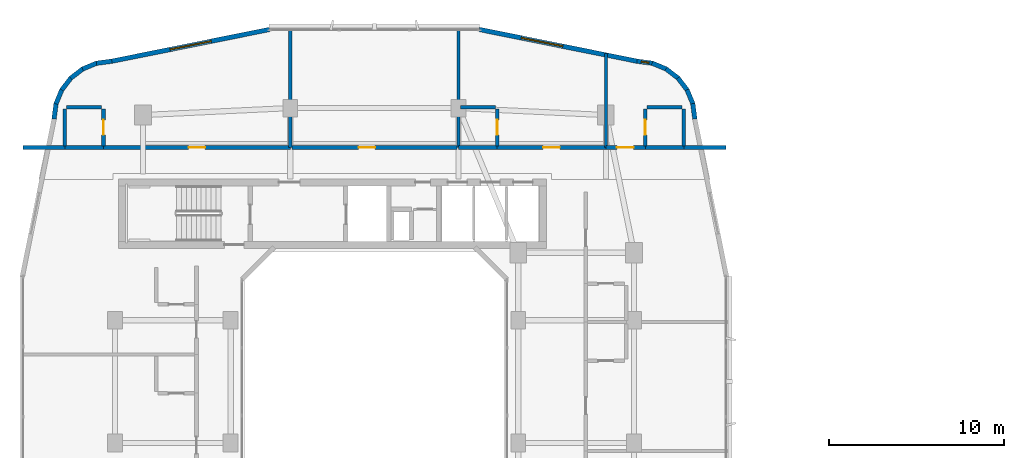
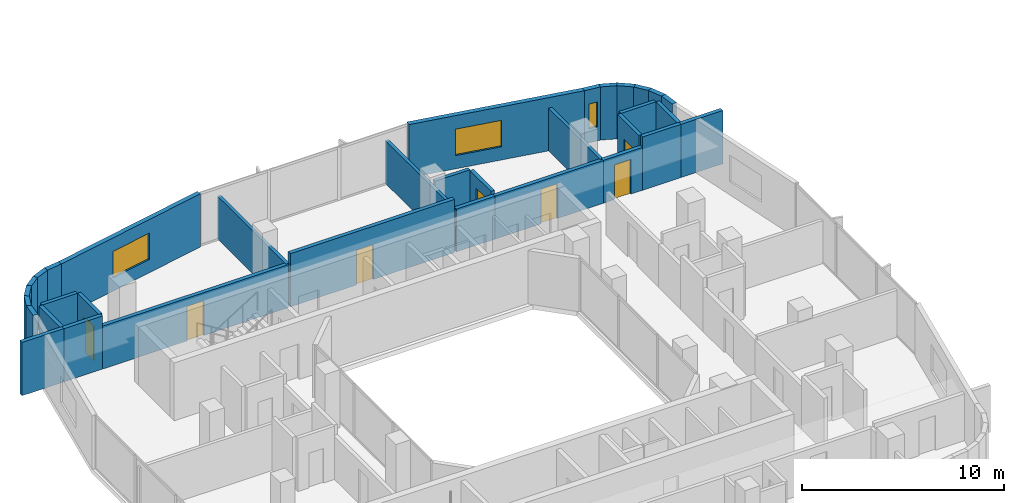
# One storey, part 16 of 26: 34 walls, 7 doors, 3 windows, 10 openings.
"""IFC4 building model written with IfcOpenShell, lengths in metres."""

from ifc_helpers import new_model, si_unit, derived_unit, direction, frame, frame_2d, origin, place, context, subcontext, project, spatial, rectangle, extrude, material, layer, layer_set, type_object, element, fill, save


model = new_model("IFC4")

# Units and contexts
model_context = context("Model", 3, precision=1e-05, world=origin(), true_north=direction((0.0, 1.0)))
body_context = subcontext(model_context, "Body", "Model", "MODEL_VIEW")
ifc_project = project(units=[si_unit("LENGTHUNIT", "METRE"), si_unit("AREAUNIT", "SQUARE_METRE"), si_unit("VOLUMEUNIT", "CUBIC_METRE"), si_unit("PLANEANGLEUNIT", "RADIAN"), si_unit("MASSUNIT", "GRAM", prefix="KILO"), derived_unit("THERMALTRANSMITTANCEUNIT", [(si_unit("POWERUNIT", "WATT"), 1), (si_unit("LENGTHUNIT", "METRE"), -2), (si_unit("THERMODYNAMICTEMPERATUREUNIT", "KELVIN"), -1)])], contexts=[model_context])

# Site, building, storey
site_placement = place(None, origin())
site = spatial("IfcSite", under=ifc_project, at=site_placement, CompositionType="ELEMENT")
building_placement = place(site_placement, origin())
building = spatial("IfcBuilding", under=site, at=building_placement, Name="Kivonza Crest Hotel", CompositionType="ELEMENT")
storey_placement = place(building_placement, frame((0.0, 0.0, 105.5)))
storey = spatial("IfcBuildingStorey", under=building, at=storey_placement, Name="L28", CompositionType="ELEMENT", Elevation=105.5)

# Walls
ifc_material_1 = material(Name="High-density acoustic masonry inter-tenancy wall", Category="masonry")
ifc_layer_1 = layer(ifc_material_1, 0.179931640625)
ifc_layer_set_1 = layer_set([ifc_layer_1], Name="High-density acoustic masonry inter-tenancy wall")
wall_type_1 = type_object("IfcWallType", Name="WL-ACOU-180", PredefinedType="SOLIDWALL", material=ifc_layer_set_1)
for number, where, z_axis, x_axis, name in (
    (1, (16.199951171875, 38.35009765625, 0.0), (0.0, 0.0, 1.0), (0.0, 1.0, 0.0), "L28 interior partition WA-L28-T1N-DIV1"),
    (2, (25.800048828125, 38.35009765625, 0.0), (0.0, 0.0, 1.0), (0.0, 1.0, 0.0), "L28 interior partition WA-L28-T1N-DIV2"),
):
    element("IfcWall", number, at=place(storey_placement, frame(where, z_axis=z_axis, x_axis=x_axis)), inside=storey, type_object=wall_type_1, Name=name, PredefinedType="SOLIDWALL", context=body_context, shape_type="SweptSolid", body=[
        extrude(rectangle(XDim=6.789794921875, YDim=0.179931640625, at=frame_2d((3.39501953125, 0.0))), origin(), (0.0, 0.0, 1.0), 2.594970703125),
    ])
wall_1_placement = place(storey_placement, frame((34.199951171875, 38.35009765625, 0.0), z_axis=(0.0, 0.0, 1.0), x_axis=(0.0, 1.0, 0.0)))
element("IfcWall", 3, at=wall_1_placement, inside=storey, type_object=wall_type_1, Name="L28 interior partition WA-L28-T1N-DIV3", PredefinedType="SOLIDWALL", context=body_context, shape_type="SweptSolid", body=[
    extrude(rectangle(XDim=5.350830078125, YDim=0.179931640625, at=frame_2d((2.67529296875, 0.0))), origin(), (0.0, 0.0, 1.0), 2.594970703125),
])
ifc_material_2 = material(Name="Autoclaved aerated concrete blockwork", Category="masonry")
ifc_layer_2 = layer(ifc_material_2, 0.219970703125)
ifc_layer_set_2 = layer_set([ifc_layer_2], Name="Autoclaved aerated concrete blockwork")
wall_type_2 = type_object("IfcWallType", Name="WL-ACOU-220", PredefinedType="SOLIDWALL", material=ifc_layer_set_2)
wall_2_placement = place(storey_placement, frame((0.9599609375, 38.35009765625, 0.0), z_axis=(0.0, 0.0, 1.0), x_axis=(1.0, 0.0, 0.0)))
element("IfcWall", 4, at=wall_2_placement, inside=storey, type_object=wall_type_2, Name="L28 interior partition WA-L28-N01-XCORR", PredefinedType="SOLIDWALL", context=body_context, shape_type="SweptSolid", body=[
    extrude(rectangle(XDim=2.39013671875, YDim=0.219970703125, at=frame_2d((1.195068359375, 0.0))), origin(), (0.0, 0.0, 1.0), 3.219970703125),
])
wall_3_placement = place(storey_placement, frame((3.35009765625, 38.35009765625, 0.0), z_axis=(0.0, 0.0, 1.0), x_axis=(1.0, 0.0, 0.0)))
element("IfcWall", 5, at=wall_3_placement, inside=storey, type_object=wall_type_2, Name="L28 interior partition WA-L28-N01-BCORR", PredefinedType="SOLIDWALL", context=body_context, shape_type="SweptSolid", body=[
    extrude(rectangle(XDim=2.199951171875, YDim=0.219970703125, at=frame_2d((1.10009765625, 0.0))), origin(), (0.0, 0.0, 1.0), 3.219970703125),
])

# Wall, opening, door
wall_4_placement = place(storey_placement, frame((5.550048828125, 38.35009765625, 0.0), z_axis=(0.0, 0.0, 1.0), x_axis=(1.0, 0.0, 0.0)))
wall_4 = element("IfcWall", 6, at=wall_4_placement, inside=storey, type_object=wall_type_2, Name="L28 interior partition WA-L28-N01-MCORR", PredefinedType="SOLIDWALL", context=body_context, shape_type="SweptSolid", body=[
    extrude(rectangle(XDim=10.64990234375, YDim=0.219970703125, at=frame_2d((5.324951171875, 0.0))), origin(), (0.0, 0.0, 1.0), 2.594970703125),
])
opening_1_placement = place(wall_4_placement, frame((4.85009765625, 0.0, 0.0)))
opening_1 = element("IfcOpeningElement", 7, at=opening_1_placement, cuts=wall_4, Name="Opening DU-60", PredefinedType="OPENING", context=body_context, shape_type="SweptSolid", body=[
    extrude(rectangle(XDim=0.949951171875, YDim=2.10009765625, at=frame_2d((0.47509765625, 1.050048828125))), frame((0.0, 0.1201171875, 0.0), z_axis=(0.0, -1.0, 0.0), x_axis=(1.0, 0.0, 0.0)), (0.0, 0.0, 1.0), 0.239990234375),
])
ifc_material_3 = material(Name="Hardwood timber oak", Category="wood")
door_type_1 = type_object("IfcDoorType", Name="DR-UNIT-950", OperationType="NOTDEFINED", PredefinedType="DOOR", material=ifc_material_3)
door_1_placement = place(opening_1_placement, origin())
door_1 = element("IfcDoor", 8, at=door_1_placement, inside=storey, type_object=door_type_1, Name="L28 N01 guest unit entrance fire door", OperationType="SINGLE_SWING_LEFT", OverallHeight=2.10009765625, OverallWidth=0.949951171875, PredefinedType="DOOR", context=body_context, shape_type="SweptSolid", body=[
    extrude(rectangle(XDim=0.949951171875, YDim=2.10009765625, at=frame_2d((0.47509765625, 1.050048828125))), frame((0.0, 0.02490234375, 0.0), z_axis=(0.0, -1.0, 0.0), x_axis=(1.0, 0.0, 0.0)), (0.0, 0.0, 1.0), 0.050048828125),
])
fill(opening_1, door_1)

wall_5_placement = place(storey_placement, frame((16.300048828125, 38.35009765625, 0.0), z_axis=(0.0, 0.0, 1.0), x_axis=(1.0, 0.0, 0.0)))
wall_5 = element("IfcWall", 9, at=wall_5_placement, inside=storey, type_object=wall_type_2, Name="L28 interior partition WA-L28-HK-MAIN-S", PredefinedType="SOLIDWALL", context=body_context, shape_type="SweptSolid", body=[
    extrude(rectangle(XDim=9.39990234375, YDim=0.219970703125, at=frame_2d((4.699951171875, 0.0))), origin(), (0.0, 0.0, 1.0), 3.219970703125),
])
opening_2_placement = place(wall_5_placement, frame((3.79296875, 0.0, 0.0)))
opening_2 = element("IfcOpeningElement", 10, at=opening_2_placement, cuts=wall_5, Name="Opening DF-60S", PredefinedType="OPENING", context=body_context, shape_type="SweptSolid", body=[
    extrude(rectangle(XDim=0.949951171875, YDim=2.10009765625, at=frame_2d((0.47509765625, 1.050048828125))), frame((0.0, 0.1201171875, 0.0), z_axis=(0.0, -1.0, 0.0), x_axis=(1.0, 0.0, 0.0)), (0.0, 0.0, 1.0), 0.239990234375),
])
door_type_2 = type_object("IfcDoorType", Name="DR-FD60-950", OperationType="NOTDEFINED", PredefinedType="DOOR", material=ifc_material_3)
door_2_placement = place(opening_2_placement, origin())
door_2 = element("IfcDoor", 11, at=door_2_placement, inside=storey, type_object=door_type_2, Name="L28 Housekeeping and Linen Room door", OperationType="SINGLE_SWING_RIGHT", OverallHeight=2.10009765625, OverallWidth=0.949951171875, PredefinedType="DOOR", context=body_context, shape_type="SweptSolid", body=[
    extrude(rectangle(XDim=0.949951171875, YDim=2.10009765625, at=frame_2d((0.47509765625, 1.050048828125))), frame((0.0, 0.02490234375, 0.0), z_axis=(0.0, -1.0, 0.0), x_axis=(1.0, 0.0, 0.0)), (0.0, 0.0, 1.0), 0.050048828125),
])
fill(opening_2, door_2)

# Wall
wall_6_placement = place(storey_placement, frame((25.800048828125, 38.35009765625, 0.0), z_axis=(0.0, 0.0, 1.0), x_axis=(1.0, 0.0, 0.0)))
element("IfcWall", 12, at=wall_6_placement, inside=storey, type_object=wall_type_2, Name="L28 interior partition WA-L28-N02-BCORR", PredefinedType="SOLIDWALL", context=body_context, shape_type="SweptSolid", body=[
    extrude(rectangle(XDim=2.199951171875, YDim=0.219970703125, at=frame_2d((1.10009765625, 0.0))), origin(), (0.0, 0.0, 1.0), 2.594970703125),
])

# Wall, opening, door
wall_7_placement = place(storey_placement, frame((28.0, 38.35009765625, 0.0), z_axis=(0.0, 0.0, 1.0), x_axis=(1.0, 0.0, 0.0)))
wall_7 = element("IfcWall", 13, at=wall_7_placement, inside=storey, type_object=wall_type_2, Name="L28 interior partition WA-L28-N02-MCORR", PredefinedType="SOLIDWALL", context=body_context, shape_type="SweptSolid", body=[
    extrude(rectangle(XDim=6.199951171875, YDim=0.219970703125, at=frame_2d((3.10009765625, 0.0))), origin(), (0.0, 0.0, 1.0), 2.594970703125),
])
opening_3_placement = place(wall_7_placement, frame((2.625, 0.0, 0.0)))
opening_3 = element("IfcOpeningElement", 14, at=opening_3_placement, cuts=wall_7, Name="Opening DU-60", PredefinedType="OPENING", context=body_context, shape_type="SweptSolid", body=[
    extrude(rectangle(XDim=0.949951171875, YDim=2.10009765625, at=frame_2d((0.47509765625, 1.050048828125))), frame((0.0, 0.1201171875, 0.0), z_axis=(0.0, -1.0, 0.0), x_axis=(1.0, 0.0, 0.0)), (0.0, 0.0, 1.0), 0.239990234375),
])
door_3_placement = place(opening_3_placement, origin())
door_3 = element("IfcDoor", 15, at=door_3_placement, inside=storey, type_object=door_type_1, Name="L28 N02 guest unit entrance fire door", OperationType="SINGLE_SWING_RIGHT", OverallHeight=2.10009765625, OverallWidth=0.949951171875, PredefinedType="DOOR", context=body_context, shape_type="SweptSolid", body=[
    extrude(rectangle(XDim=0.949951171875, YDim=2.10009765625, at=frame_2d((0.47509765625, 1.050048828125))), frame((0.0, 0.02490234375, 0.0), z_axis=(0.0, -1.0, 0.0), x_axis=(1.0, 0.0, 0.0)), (0.0, 0.0, 1.0), 0.050048828125),
])
fill(opening_3, door_3)

# Walls
wall_8_placement = place(storey_placement, frame((38.64990234375, 38.35009765625, 0.0), z_axis=(0.0, 0.0, 1.0), x_axis=(1.0, 0.0, 0.0)))
element("IfcWall", 16, at=wall_8_placement, inside=storey, type_object=wall_type_2, Name="L28 interior partition WA-L28-N03-XCORR", PredefinedType="SOLIDWALL", context=body_context, shape_type="SweptSolid", body=[
    extrude(rectangle(XDim=2.39013671875, YDim=0.219970703125, at=frame_2d((1.195068359375, 0.0))), origin(), (0.0, 0.0, 1.0), 3.219970703125),
])
wall_9_placement = place(storey_placement, frame((36.449951171875, 38.35009765625, 0.0), z_axis=(0.0, 0.0, 1.0), x_axis=(1.0, 0.0, 0.0)))
element("IfcWall", 17, at=wall_9_placement, inside=storey, type_object=wall_type_2, Name="L28 interior partition WA-L28-N03-BCORR", PredefinedType="SOLIDWALL", context=body_context, shape_type="SweptSolid", body=[
    extrude(rectangle(XDim=2.199951171875, YDim=0.219970703125, at=frame_2d((1.10009765625, 0.0))), origin(), (0.0, 0.0, 1.0), 3.219970703125),
])

# Wall, opening, door
wall_10_placement = place(storey_placement, frame((34.199951171875, 38.35009765625, 0.0), z_axis=(0.0, 0.0, 1.0), x_axis=(1.0, 0.0, 0.0)))
wall_10 = element("IfcWall", 18, at=wall_10_placement, inside=storey, type_object=wall_type_2, Name="L28 interior partition WA-L28-N03-MCORR", PredefinedType="SOLIDWALL", context=body_context, shape_type="SweptSolid", body=[
    extrude(rectangle(XDim=2.25, YDim=0.219970703125, at=frame_2d((1.125, 0.0))), origin(), (0.0, 0.0, 1.0), 2.594970703125),
])
opening_4_placement = place(wall_10_placement, frame((0.6298828125, 0.0, 0.0)))
opening_4 = element("IfcOpeningElement", 19, at=opening_4_placement, cuts=wall_10, Name="Opening DU-60", PredefinedType="OPENING", context=body_context, shape_type="SweptSolid", body=[
    extrude(rectangle(XDim=0.949951171875, YDim=2.10009765625, at=frame_2d((0.47509765625, 1.050048828125))), frame((0.0, 0.1201171875, 0.0), z_axis=(0.0, -1.0, 0.0), x_axis=(1.0, 0.0, 0.0)), (0.0, 0.0, 1.0), 0.239990234375),
])
door_4_placement = place(opening_4_placement, origin())
door_4 = element("IfcDoor", 20, at=door_4_placement, inside=storey, type_object=door_type_1, Name="L28 N03 guest unit entrance fire door", OperationType="SINGLE_SWING_LEFT", OverallHeight=2.10009765625, OverallWidth=0.949951171875, PredefinedType="DOOR", context=body_context, shape_type="SweptSolid", body=[
    extrude(rectangle(XDim=0.949951171875, YDim=2.10009765625, at=frame_2d((0.47509765625, 1.050048828125))), frame((0.0, 0.02490234375, 0.0), z_axis=(0.0, -1.0, 0.0), x_axis=(1.0, 0.0, 0.0)), (0.0, 0.0, 1.0), 0.050048828125),
])
fill(opening_4, door_4)

# Walls
ifc_material_4 = material(Name="Precast concrete C40/50", Category="concrete")
ifc_layer_3 = layer(ifc_material_4, 0.260009765625)
ifc_layer_set_3 = layer_set([ifc_layer_3], Name="Precast concrete C40/50")
wall_type_3 = type_object("IfcWallType", Name="WL-EXT-260", PredefinedType="STANDARD", material=ifc_layer_set_3)
wall_11_placement = place(storey_placement, frame((39.27197265625, 39.97509765625, 0.0), z_axis=(0.0, 0.0, 1.0), x_axis=(-0.130953706898, 0.991388484223, 0.0)))
element("IfcWall", 21, at=wall_11_placement, inside=storey, type_object=wall_type_3, Name="L28 T1 exterior insulated wall 19", PredefinedType="STANDARD", context=body_context, shape_type="SweptSolid", body=[
    extrude(rectangle(XDim=0.885498046875, YDim=0.260009765625, at=frame_2d((0.44287109375, 0.0))), origin(), (0.0, 0.0, 1.0), 3.219970703125),
])
wall_12_placement = place(storey_placement, frame((39.174072265625, 40.806884765625, 0.0), z_axis=(0.0, 0.0, 1.0), x_axis=(-0.383290660547, 0.923627776508, 0.0)))
element("IfcWall", 22, at=wall_12_placement, inside=storey, type_object=wall_type_3, Name="L28 T1 exterior insulated wall 20", PredefinedType="STANDARD", context=body_context, shape_type="SweptSolid", body=[
    extrude(rectangle(XDim=0.9033203125, YDim=0.260009765625, at=frame_2d((0.45166015625, 0.0))), origin(), (0.0, 0.0, 1.0), 3.219970703125),
])
wall_13_placement = place(storey_placement, frame((38.85595703125, 41.60107421875, 0.0), z_axis=(0.0, 0.0, 1.0), x_axis=(-0.608624690463, 0.793458244748, 0.0)))
element("IfcWall", 23, at=wall_13_placement, inside=storey, type_object=wall_type_3, Name="L28 T1 exterior insulated wall 21", PredefinedType="STANDARD", context=body_context, shape_type="SweptSolid", body=[
    extrude(rectangle(XDim=0.902099609375, YDim=0.260009765625, at=frame_2d((0.451171875, 0.0))), origin(), (0.0, 0.0, 1.0), 3.219970703125),
])
wall_14_placement = place(storey_placement, frame((38.344970703125, 42.285888671875, 0.0), z_axis=(0.0, 0.0, 1.0), x_axis=(-0.793558456666, 0.608494022858, 0.0)))
element("IfcWall", 24, at=wall_14_placement, inside=storey, type_object=wall_type_3, Name="L28 T1 exterior insulated wall 22", PredefinedType="STANDARD", context=body_context, shape_type="SweptSolid", body=[
    extrude(rectangle(XDim=0.90234375, YDim=0.260009765625, at=frame_2d((0.451171875, 0.0))), origin(), (0.0, 0.0, 1.0), 3.219970703125),
])
wall_15_placement = place(storey_placement, frame((37.673095703125, 42.81396484375, 0.0), z_axis=(0.0, 0.0, 1.0), x_axis=(-0.923683767999, 0.383155708213, 0.0)))
element("IfcWall", 25, at=wall_15_placement, inside=storey, type_object=wall_type_3, Name="L28 T1 exterior insulated wall 23", PredefinedType="STANDARD", context=body_context, shape_type="SweptSolid", body=[
    extrude(rectangle(XDim=0.90283203125, YDim=0.260009765625, at=frame_2d((0.451416015625, 0.0))), origin(), (0.0, 0.0, 1.0), 3.219970703125),
])

# Wall, opening, window
wall_16_placement = place(storey_placement, frame((36.887939453125, 43.152099609375, 0.0), z_axis=(0.0, 0.0, 1.0), x_axis=(-0.991487658083, 0.130200706103, 0.0)))
wall_16 = element("IfcWall", 26, at=wall_16_placement, inside=storey, type_object=wall_type_3, Name="L28 T1 exterior insulated wall 24", PredefinedType="STANDARD", context=body_context, shape_type="SweptSolid", body=[
    extrude(rectangle(XDim=0.920654296875, YDim=0.260009765625, at=frame_2d((0.46044921875, 0.0))), origin(), (0.0, 0.0, 1.0), 3.219970703125),
])
opening_5_placement = place(wall_16_placement, frame((0.235107421875, 0.0, 0.85009765625)))
opening_5 = element("IfcOpeningElement", 27, at=opening_5_placement, cuts=wall_16, Name="Opening WN-11", PredefinedType="OPENING", context=body_context, shape_type="SweptSolid", body=[
    extrude(rectangle(XDim=0.449951171875, YDim=1.5, at=frame_2d((0.22509765625, 0.75))), frame((0.0, 0.14013671875, 0.0), z_axis=(0.0, -1.0, 0.0), x_axis=(1.0, 0.0, 0.0)), (0.0, 0.0, 1.0), 0.280029296875),
])
ifc_material_5 = material(Name="Thermally broken bronze aluminium and low-E double glazing", Category="aluminium")
window_type_1 = type_object("IfcWindowType", Name="WN-045x150", PartitioningType="SINGLE_PANEL", PredefinedType="WINDOW", material=ifc_material_5)
window_1_placement = place(opening_5_placement, origin())
window_1 = element("IfcWindow", 28, at=window_1_placement, inside=storey, type_object=window_type_1, Name="L28 corner vision window 1", OverallHeight=1.5, OverallWidth=0.449951171875, PartitioningType="SINGLE_PANEL", PredefinedType="WINDOW", context=body_context, shape_type="SweptSolid", body=[
    extrude(rectangle(XDim=0.449951171875, YDim=1.5, at=frame_2d((0.22509765625, 0.75))), frame((0.0, 0.030029296875, 0.0), z_axis=(0.0, -1.0, 0.0), x_axis=(1.0, 0.0, 0.0)), (0.0, 0.0, 1.0), 0.06005859375),
])
fill(opening_5, window_1)

wall_17_placement = place(storey_placement, frame((35.98193359375, 43.27099609375, 0.0), z_axis=(0.0, 0.0, 1.0), x_axis=(-0.980315963543, 0.197435082048, 0.0)))
wall_17 = element("IfcWall", 29, at=wall_17_placement, inside=storey, type_object=wall_type_3, Name="L28 T1 exterior insulated wall 25", PredefinedType="STANDARD", context=body_context, shape_type="SweptSolid", body=[
    extrude(rectangle(XDim=9.1826171875, YDim=0.260009765625, at=frame_2d((4.59130859375, 0.0))), origin(), (0.0, 0.0, 1.0), 3.219970703125),
])
opening_6_placement = place(wall_17_placement, frame((4.3369140625, 0.0, 0.800048828125)))
opening_6 = element("IfcOpeningElement", 30, at=opening_6_placement, cuts=wall_17, Name="Opening WN-05", PredefinedType="OPENING", context=body_context, shape_type="SweptSolid", body=[
    extrude(rectangle(XDim=2.39990234375, YDim=1.60009765625, at=frame_2d((1.199951171875, 0.800048828125))), frame((0.0, 0.14013671875, 0.0), z_axis=(0.0, -1.0, 0.0), x_axis=(1.0, 0.0, 0.0)), (0.0, 0.0, 1.0), 0.280029296875),
])
window_type_2 = type_object("IfcWindowType", Name="WN-240x160", PartitioningType="TRIPLE_PANEL_VERTICAL", PredefinedType="WINDOW", material=ifc_material_5)
window_2_placement = place(opening_6_placement, origin())
window_2 = element("IfcWindow", 31, at=window_2_placement, inside=storey, type_object=window_type_2, Name="L28 T1 facade window 25", OverallHeight=1.60009765625, OverallWidth=2.39990234375, PartitioningType="SINGLE_PANEL", PredefinedType="WINDOW", context=body_context, shape_type="SweptSolid", body=[
    extrude(rectangle(XDim=2.39990234375, YDim=1.60009765625, at=frame_2d((1.199951171875, 0.800048828125))), frame((0.0, 0.030029296875, 0.0), z_axis=(0.0, -1.0, 0.0), x_axis=(1.0, 0.0, 0.0)), (0.0, 0.0, 1.0), 0.06005859375),
])
fill(opening_6, window_2)

wall_18_placement = place(storey_placement, frame((15.02001953125, 45.083984375, 0.0), z_axis=(0.0, 0.0, 1.0), x_axis=(-0.980315963543, -0.197435082048, 0.0)))
wall_18 = element("IfcWall", 32, at=wall_18_placement, inside=storey, type_object=wall_type_3, Name="L28 T1 exterior insulated wall 27", PredefinedType="STANDARD", context=body_context, shape_type="SweptSolid", body=[
    extrude(rectangle(XDim=9.1826171875, YDim=0.260009765625, at=frame_2d((4.59130859375, 0.0))), origin(), (0.0, 0.0, 1.0), 3.219970703125),
])
opening_7_placement = place(wall_18_placement, frame((3.39111328125, 0.0, 0.800048828125)))
opening_7 = element("IfcOpeningElement", 33, at=opening_7_placement, cuts=wall_18, Name="Opening WN-05", PredefinedType="OPENING", context=body_context, shape_type="SweptSolid", body=[
    extrude(rectangle(XDim=2.39990234375, YDim=1.60009765625, at=frame_2d((1.199951171875, 0.800048828125))), frame((0.0, 0.14013671875, 0.0), z_axis=(0.0, -1.0, 0.0), x_axis=(1.0, 0.0, 0.0)), (0.0, 0.0, 1.0), 0.280029296875),
])
window_3_placement = place(opening_7_placement, origin())
window_3 = element("IfcWindow", 34, at=window_3_placement, inside=storey, type_object=window_type_2, Name="L28 T1 facade window 27", OverallHeight=1.60009765625, OverallWidth=2.39990234375, PartitioningType="SINGLE_PANEL", PredefinedType="WINDOW", context=body_context, shape_type="SweptSolid", body=[
    extrude(rectangle(XDim=2.39990234375, YDim=1.60009765625, at=frame_2d((1.199951171875, 0.800048828125))), frame((0.0, 0.030029296875, 0.0), z_axis=(0.0, -1.0, 0.0), x_axis=(1.0, 0.0, 0.0)), (0.0, 0.0, 1.0), 0.06005859375),
])
fill(opening_7, window_3)

# Walls
wall_19_placement = place(storey_placement, frame((6.02490234375, 43.27197265625, 0.0), z_axis=(0.0, 0.0, 1.0), x_axis=(-0.991388484223, -0.130953706898, 0.0)))
element("IfcWall", 35, at=wall_19_placement, inside=storey, type_object=wall_type_3, Name="L28 T1 exterior insulated wall 28", PredefinedType="STANDARD", context=body_context, shape_type="SweptSolid", body=[
    extrude(rectangle(XDim=0.885498046875, YDim=0.260009765625, at=frame_2d((0.44287109375, 0.0))), origin(), (0.0, 0.0, 1.0), 3.219970703125),
])
wall_20_placement = place(storey_placement, frame((5.193115234375, 43.174072265625, 0.0), z_axis=(0.0, 0.0, 1.0), x_axis=(-0.923627776508, -0.383290660547, 0.0)))
element("IfcWall", 36, at=wall_20_placement, inside=storey, type_object=wall_type_3, Name="L28 T1 exterior insulated wall 29", PredefinedType="STANDARD", context=body_context, shape_type="SweptSolid", body=[
    extrude(rectangle(XDim=0.9033203125, YDim=0.260009765625, at=frame_2d((0.45166015625, 0.0))), origin(), (0.0, 0.0, 1.0), 3.219970703125),
])
wall_21_placement = place(storey_placement, frame((4.39892578125, 42.85595703125, 0.0), z_axis=(0.0, 0.0, 1.0), x_axis=(-0.793458244748, -0.608624690463, 0.0)))
element("IfcWall", 37, at=wall_21_placement, inside=storey, type_object=wall_type_3, Name="L28 T1 exterior insulated wall 30", PredefinedType="STANDARD", context=body_context, shape_type="SweptSolid", body=[
    extrude(rectangle(XDim=0.902099609375, YDim=0.260009765625, at=frame_2d((0.451171875, 0.0))), origin(), (0.0, 0.0, 1.0), 3.219970703125),
])
wall_22_placement = place(storey_placement, frame((3.714111328125, 42.344970703125, 0.0), z_axis=(0.0, 0.0, 1.0), x_axis=(-0.608494022858, -0.793558456666, 0.0)))
element("IfcWall", 38, at=wall_22_placement, inside=storey, type_object=wall_type_3, Name="L28 T1 exterior insulated wall 31", PredefinedType="STANDARD", context=body_context, shape_type="SweptSolid", body=[
    extrude(rectangle(XDim=0.90234375, YDim=0.260009765625, at=frame_2d((0.451171875, 0.0))), origin(), (0.0, 0.0, 1.0), 3.219970703125),
])
wall_23_placement = place(storey_placement, frame((3.18603515625, 41.673095703125, 0.0), z_axis=(0.0, 0.0, 1.0), x_axis=(-0.383155708213, -0.923683767999, 0.0)))
element("IfcWall", 39, at=wall_23_placement, inside=storey, type_object=wall_type_3, Name="L28 T1 exterior insulated wall 32", PredefinedType="STANDARD", context=body_context, shape_type="SweptSolid", body=[
    extrude(rectangle(XDim=0.90283203125, YDim=0.260009765625, at=frame_2d((0.451416015625, 0.0))), origin(), (0.0, 0.0, 1.0), 3.219970703125),
])
wall_24_placement = place(storey_placement, frame((2.847900390625, 40.887939453125, 0.0), z_axis=(0.0, 0.0, 1.0), x_axis=(-0.130200706103, -0.991487658083, 0.0)))
element("IfcWall", 40, at=wall_24_placement, inside=storey, type_object=wall_type_3, Name="L28 T1 exterior insulated wall 33", PredefinedType="STANDARD", context=body_context, shape_type="SweptSolid", body=[
    extrude(rectangle(XDim=0.920654296875, YDim=0.260009765625, at=frame_2d((0.46044921875, 0.0))), origin(), (0.0, 0.0, 1.0), 3.219970703125),
])

# Wall, opening, door
ifc_material_6 = material(Name="Moisture-resistant plumbing chase partition wall", Category="gypsum")
ifc_layer_4 = layer(ifc_material_6, 0.199951171875)
ifc_layer_set_4 = layer_set([ifc_layer_4], Name="Moisture-resistant plumbing chase partition wall")
wall_type_4 = type_object("IfcWallType", Name="WL-PLUMB-200", PredefinedType="PLUMBINGWALL", material=ifc_layer_set_4)
wall_25_placement = place(storey_placement, frame((5.550048828125, 38.449951171875, 0.0), z_axis=(0.0, 0.0, 1.0), x_axis=(0.0, 1.0, 0.0)))
wall_25 = element("IfcWall", 41, at=wall_25_placement, inside=storey, type_object=wall_type_4, Name="L28 interior partition WW-L28-N01-BV", PredefinedType="PLUMBINGWALL", context=body_context, shape_type="SweptSolid", body=[
    extrude(rectangle(XDim=2.10009765625, YDim=0.199951171875, at=frame_2d((1.050048828125, 0.0))), origin(), (0.0, 0.0, 1.0), 3.219970703125),
])
opening_8_placement = place(wall_25_placement, frame((0.625, 0.0, 0.0)))
opening_8 = element("IfcOpeningElement", 42, at=opening_8_placement, cuts=wall_25, Name="Opening DI-85", PredefinedType="OPENING", context=body_context, shape_type="SweptSolid", body=[
    extrude(rectangle(XDim=0.85009765625, YDim=2.10009765625, at=frame_2d((0.425048828125, 1.050048828125))), frame((0.0, 0.10986328125, 0.0), z_axis=(0.0, -1.0, 0.0), x_axis=(1.0, 0.0, 0.0)), (0.0, 0.0, 1.0), 0.219970703125),
])
door_type_3 = type_object("IfcDoorType", Name="DR-INT-850", OperationType="NOTDEFINED", PredefinedType="DOOR", material=ifc_material_3)
door_5_placement = place(opening_8_placement, frame((0.85009765625, 0.0, 0.0), z_axis=(0.0, 0.0, 1.0), x_axis=(-1.0, 0.0, 0.0)))
door_5 = element("IfcDoor", 43, at=door_5_placement, inside=storey, type_object=door_type_3, Name="L28 N01 en-suite bathroom door", OperationType="SINGLE_SWING_RIGHT", OverallHeight=2.10009765625, OverallWidth=0.85009765625, PredefinedType="DOOR", context=body_context, shape_type="SweptSolid", body=[
    extrude(rectangle(XDim=0.85009765625, YDim=2.10009765625, at=frame_2d((0.425048828125, 1.050048828125))), frame((0.0, 0.02490234375, 0.0), z_axis=(0.0, -1.0, 0.0), x_axis=(1.0, 0.0, 0.0)), (0.0, 0.0, 1.0), 0.050048828125),
])
fill(opening_8, door_5)

# Walls
wall_26_placement = place(storey_placement, frame((3.449951171875, 40.64990234375, 0.0), z_axis=(0.0, 0.0, 1.0), x_axis=(1.0, 0.0, 0.0)))
element("IfcWall", 44, at=wall_26_placement, inside=storey, type_object=wall_type_4, Name="L28 interior partition WW-L28-N01-BH", PredefinedType="PLUMBINGWALL", context=body_context, shape_type="SweptSolid", body=[
    extrude(rectangle(XDim=2.0, YDim=0.199951171875, at=frame_2d((1.0, 0.0))), origin(), (0.0, 0.0, 1.0), 3.219970703125),
])
wall_27_placement = place(storey_placement, frame((3.35009765625, 38.449951171875, 0.0), z_axis=(0.0, 0.0, 1.0), x_axis=(0.0, 1.0, 0.0)))
element("IfcWall", 45, at=wall_27_placement, inside=storey, type_object=wall_type_4, Name="L28 interior partition WW-L28-N01-BVW", PredefinedType="PLUMBINGWALL", context=body_context, shape_type="SweptSolid", body=[
    extrude(rectangle(XDim=2.10009765625, YDim=0.199951171875, at=frame_2d((1.050048828125, 0.0))), origin(), (0.0, 0.0, 1.0), 3.219970703125),
])

# Wall, opening, door
wall_28_placement = place(storey_placement, frame((28.0, 38.449951171875, 0.0), z_axis=(0.0, 0.0, 1.0), x_axis=(0.0, 1.0, 0.0)))
wall_28 = element("IfcWall", 46, at=wall_28_placement, inside=storey, type_object=wall_type_4, Name="L28 interior partition WW-L28-N02-BV", PredefinedType="PLUMBINGWALL", context=body_context, shape_type="SweptSolid", body=[
    extrude(rectangle(XDim=2.10009765625, YDim=0.199951171875, at=frame_2d((1.050048828125, 0.0))), origin(), (0.0, 0.0, 1.0), 2.794921875),
])
opening_9_placement = place(wall_28_placement, frame((0.625, 0.0, 0.0)))
opening_9 = element("IfcOpeningElement", 47, at=opening_9_placement, cuts=wall_28, Name="Opening DI-85", PredefinedType="OPENING", context=body_context, shape_type="SweptSolid", body=[
    extrude(rectangle(XDim=0.85009765625, YDim=2.10009765625, at=frame_2d((0.425048828125, 1.050048828125))), frame((0.0, 0.10986328125, 0.0), z_axis=(0.0, -1.0, 0.0), x_axis=(1.0, 0.0, 0.0)), (0.0, 0.0, 1.0), 0.219970703125),
])
door_6_placement = place(opening_9_placement, frame((0.85009765625, 0.0, 0.0), z_axis=(0.0, 0.0, 1.0), x_axis=(-1.0, 0.0, 0.0)))
door_6 = element("IfcDoor", 48, at=door_6_placement, inside=storey, type_object=door_type_3, Name="L28 N02 en-suite bathroom door", OperationType="SINGLE_SWING_LEFT", OverallHeight=2.10009765625, OverallWidth=0.85009765625, PredefinedType="DOOR", context=body_context, shape_type="SweptSolid", body=[
    extrude(rectangle(XDim=0.85009765625, YDim=2.10009765625, at=frame_2d((0.425048828125, 1.050048828125))), frame((0.0, 0.02490234375, 0.0), z_axis=(0.0, -1.0, 0.0), x_axis=(1.0, 0.0, 0.0)), (0.0, 0.0, 1.0), 0.050048828125),
])
fill(opening_9, door_6)

# Wall
wall_29_placement = place(storey_placement, frame((25.89990234375, 40.64990234375, 0.0), z_axis=(0.0, 0.0, 1.0), x_axis=(1.0, 0.0, 0.0)))
element("IfcWall", 49, at=wall_29_placement, inside=storey, type_object=wall_type_4, Name="L28 interior partition WW-L28-N02-BH", PredefinedType="PLUMBINGWALL", context=body_context, shape_type="SweptSolid", body=[
    extrude(rectangle(XDim=2.0, YDim=0.199951171875, at=frame_2d((1.0, 0.0))), origin(), (0.0, 0.0, 1.0), 2.8349609375),
])

# Wall, opening, door
wall_30_placement = place(storey_placement, frame((36.449951171875, 38.449951171875, 0.0), z_axis=(0.0, 0.0, 1.0), x_axis=(0.0, 1.0, 0.0)))
wall_30 = element("IfcWall", 50, at=wall_30_placement, inside=storey, type_object=wall_type_4, Name="L28 interior partition WW-L28-N03-BV", PredefinedType="PLUMBINGWALL", context=body_context, shape_type="SweptSolid", body=[
    extrude(rectangle(XDim=2.10009765625, YDim=0.199951171875, at=frame_2d((1.050048828125, 0.0))), origin(), (0.0, 0.0, 1.0), 3.219970703125),
])
opening_10_placement = place(wall_30_placement, frame((0.625, 0.0, 0.0)))
opening_10 = element("IfcOpeningElement", 51, at=opening_10_placement, cuts=wall_30, Name="Opening DI-85", PredefinedType="OPENING", context=body_context, shape_type="SweptSolid", body=[
    extrude(rectangle(XDim=0.85009765625, YDim=2.10009765625, at=frame_2d((0.425048828125, 1.050048828125))), frame((0.0, 0.10986328125, 0.0), z_axis=(0.0, -1.0, 0.0), x_axis=(1.0, 0.0, 0.0)), (0.0, 0.0, 1.0), 0.219970703125),
])
door_7_placement = place(opening_10_placement, origin())
door_7 = element("IfcDoor", 52, at=door_7_placement, inside=storey, type_object=door_type_3, Name="L28 N03 en-suite bathroom door", OperationType="SINGLE_SWING_RIGHT", OverallHeight=2.10009765625, OverallWidth=0.85009765625, PredefinedType="DOOR", context=body_context, shape_type="SweptSolid", body=[
    extrude(rectangle(XDim=0.85009765625, YDim=2.10009765625, at=frame_2d((0.425048828125, 1.050048828125))), frame((0.0, 0.02490234375, 0.0), z_axis=(0.0, -1.0, 0.0), x_axis=(1.0, 0.0, 0.0)), (0.0, 0.0, 1.0), 0.050048828125),
])
fill(opening_10, door_7)

# Walls
wall_31_placement = place(storey_placement, frame((36.550048828125, 40.64990234375, 0.0), z_axis=(0.0, 0.0, 1.0), x_axis=(1.0, 0.0, 0.0)))
element("IfcWall", 53, at=wall_31_placement, inside=storey, type_object=wall_type_4, Name="L28 interior partition WW-L28-N03-BH", PredefinedType="PLUMBINGWALL", context=body_context, shape_type="SweptSolid", body=[
    extrude(rectangle(XDim=2.0, YDim=0.199951171875, at=frame_2d((1.0, 0.0))), origin(), (0.0, 0.0, 1.0), 3.219970703125),
])
wall_32_placement = place(storey_placement, frame((38.64990234375, 38.449951171875, 0.0), z_axis=(0.0, 0.0, 1.0), x_axis=(0.0, 1.0, 0.0)))
element("IfcWall", 54, at=wall_32_placement, inside=storey, type_object=wall_type_4, Name="L28 interior partition WW-L28-N03-BVE", PredefinedType="PLUMBINGWALL", context=body_context, shape_type="SweptSolid", body=[
    extrude(rectangle(XDim=2.10009765625, YDim=0.199951171875, at=frame_2d((1.050048828125, 0.0))), origin(), (0.0, 0.0, 1.0), 3.219970703125),
])

save(model, "model.ifc")
